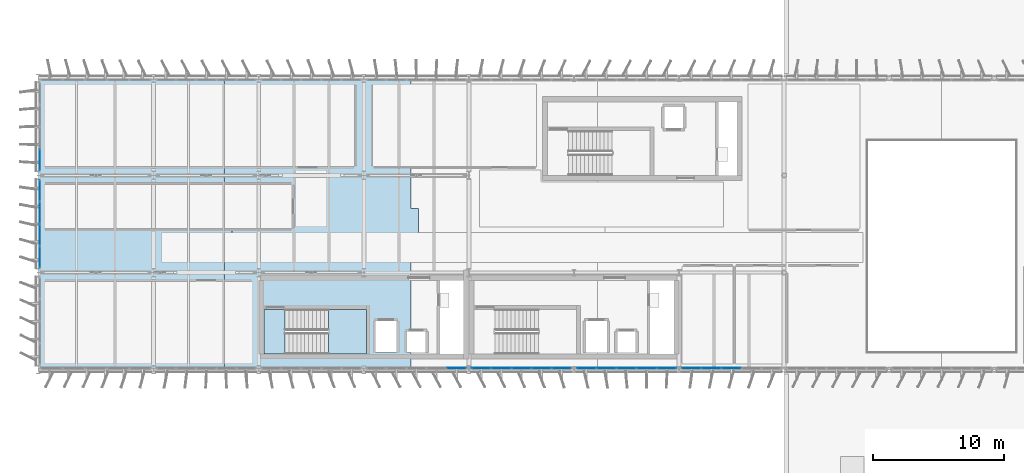
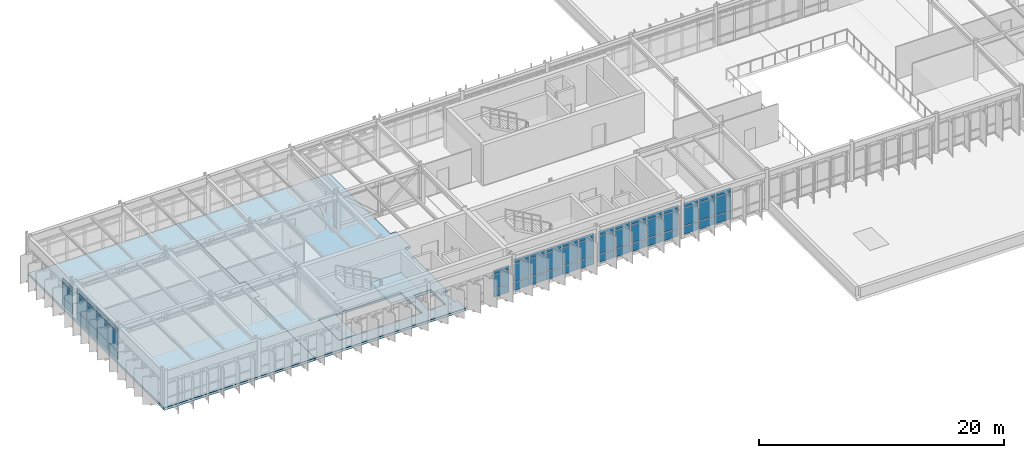
# One storey, part 28 of 56: 57 plates, 4 slabs, 7 elements without a shape of their own.
"""IFC4 building model written with IfcOpenShell, lengths in metres."""

from ifc_helpers import new_model, si_unit, direction, frame, origin, origin_2d, place, context, subcontext, project, spatial, polyline, rectangle, outline, extrude, material, layer, layer_set, type_object, element, aggregate, save


model = new_model("IFC4")

# Units and contexts
model_context = context("Model", 3, precision=1e-05, world=origin(), true_north=direction((0.0, 1.0)))
body_context = subcontext(model_context, "Body", "Model", "MODEL_VIEW")
ifc_project = project(units=[si_unit("LENGTHUNIT", "METRE"), si_unit("AREAUNIT", "SQUARE_METRE"), si_unit("VOLUMEUNIT", "CUBIC_METRE"), si_unit("PLANEANGLEUNIT", "RADIAN"), si_unit("MASSUNIT", "GRAM", prefix="KILO")], contexts=[model_context])

# Site, building, storey
site_placement = place(None, origin())
site = spatial("IfcSite", under=ifc_project, at=site_placement, CompositionType="ELEMENT")
building_placement = place(site_placement, origin())
building = spatial("IfcBuilding", under=site, at=building_placement, Name="Valkorina Park Police Headquarters", CompositionType="ELEMENT")
storey_placement = place(building_placement, frame((0.0, 0.0, 14.10009765625)))
storey = spatial("IfcBuildingStorey", under=building, at=storey_placement, Name="L04", CompositionType="ELEMENT", Elevation=14.10009765625)

# Curtain wall, plates
ifc_material_1 = material(Name="Thermally broken aluminium AW-6060", Category="aluminium")
ifc_layer_1 = layer(ifc_material_1, 0.18994140625)
ifc_layer_set_1 = layer_set([ifc_layer_1], Name="Thermally broken aluminium AW-6060")
curtain_wall_type_1 = type_object("IfcCurtainWallType", Name="CW-V5-7650x3260", PredefinedType="NOTDEFINED", material=ifc_layer_set_1)
curtain_wall_1_placement = place(storey_placement, origin())
curtain_wall_1 = element("IfcCurtainWall", 1, at=curtain_wall_1_placement, inside=storey, type_object=curtain_wall_type_1, Name="L04 Unitised Curtain Wall 051", PredefinedType="NOTDEFINED")
ifc_layer_2 = layer(ifc_material_1, 0.050048828125)
ifc_layer_set_2 = layer_set([ifc_layer_2], Name="Thermally broken aluminium AW-6060")
plate_type_1 = type_object("IfcPlateType", Name="PL-CWP-SPANDREL-50", PredefinedType="CURTAIN_PANEL", material=ifc_layer_set_2)
plate_1_placement = place(storey_placement, frame((52.7861328125, 37.1201171875, 0.06982421875), z_axis=(0.0, 0.0, 1.0), x_axis=(-1.0, 0.0, 0.0)))
plate_1 = element("IfcPlate", 2, at=plate_1_placement, type_object=plate_type_1, Name="CW-V5-765-326 panel 3.1", PredefinedType="CURTAIN_PANEL", context=body_context, shape_type="SweptSolid", body=[
    extrude(rectangle(XDim=1.46044921875, YDim=0.028076171875, at=origin_2d()), origin(), (0.0, 0.0, 1.0), 0.794921875),
])
plate_2_placement = place(storey_placement, frame((51.255615234375, 37.1201171875, 0.06982421875), z_axis=(0.0, 0.0, 1.0), x_axis=(-1.0, 0.0, 0.0)))
plate_2 = element("IfcPlate", 3, at=plate_2_placement, type_object=plate_type_1, Name="CW-V5-765-326 panel 4.1", PredefinedType="CURTAIN_PANEL", context=body_context, shape_type="SweptSolid", body=[
    extrude(rectangle(XDim=1.46044921875, YDim=0.028076171875, at=origin_2d()), origin(), (0.0, 0.0, 1.0), 0.794921875),
])
plate_3_placement = place(storey_placement, frame((49.74267578125, 37.1201171875, 0.06982421875), z_axis=(0.0, 0.0, 1.0), x_axis=(-1.0, 0.0, 0.0)))
plate_3 = element("IfcPlate", 4, at=plate_3_placement, type_object=plate_type_1, Name="CW-V5-765-326 panel 5.1", PredefinedType="CURTAIN_PANEL", context=body_context, shape_type="SweptSolid", body=[
    extrude(rectangle(XDim=1.425537109375, YDim=0.028076171875, at=origin_2d()), origin(), (0.0, 0.0, 1.0), 0.794921875),
])

ifc_layer_3 = layer(ifc_material_1, 0.18994140625)
ifc_layer_set_3 = layer_set([ifc_layer_3], Name="Thermally broken aluminium AW-6060")
curtain_wall_type_2 = type_object("IfcCurtainWallType", Name="CW-V5-7680x3260", PredefinedType="NOTDEFINED", material=ifc_layer_set_3)
curtain_wall_2_placement = place(storey_placement, origin())
curtain_wall_2 = element("IfcCurtainWall", 5, at=curtain_wall_2_placement, inside=storey, type_object=curtain_wall_type_2, Name="L04 Unitised Curtain Wall 052", PredefinedType="NOTDEFINED")
plate_4_placement = place(storey_placement, frame((47.8544921875, 37.1201171875, 0.06982421875), z_axis=(0.0, 0.0, 1.0), x_axis=(-1.0, 0.0, 0.0)))
plate_4 = element("IfcPlate", 6, at=plate_4_placement, type_object=plate_type_1, Name="CW-V5-768-326 panel 1.1", PredefinedType="CURTAIN_PANEL", context=body_context, shape_type="SweptSolid", body=[
    extrude(rectangle(XDim=1.430908203125, YDim=0.028076171875, at=origin_2d()), origin(), (0.0, 0.0, 1.0), 0.794921875),
])
plate_5_placement = place(storey_placement, frame((46.3359375, 37.1201171875, 0.06982421875), z_axis=(0.0, 0.0, 1.0), x_axis=(-1.0, 0.0, 0.0)))
plate_5 = element("IfcPlate", 7, at=plate_5_placement, type_object=plate_type_1, Name="CW-V5-768-326 panel 2.1", PredefinedType="CURTAIN_PANEL", context=body_context, shape_type="SweptSolid", body=[
    extrude(rectangle(XDim=1.466064453125, YDim=0.028076171875, at=origin_2d()), origin(), (0.0, 0.0, 1.0), 0.794921875),
])
plate_6_placement = place(storey_placement, frame((44.800048828125, 37.1201171875, 0.06982421875), z_axis=(0.0, 0.0, 1.0), x_axis=(-1.0, 0.0, 0.0)))
plate_6 = element("IfcPlate", 8, at=plate_6_placement, type_object=plate_type_1, Name="CW-V5-768-326 panel 3.1", PredefinedType="CURTAIN_PANEL", context=body_context, shape_type="SweptSolid", body=[
    extrude(rectangle(XDim=1.466064453125, YDim=0.028076171875, at=origin_2d()), origin(), (0.0, 0.0, 1.0), 0.794921875),
])
plate_7_placement = place(storey_placement, frame((43.263916015625, 37.1201171875, 0.06982421875), z_axis=(0.0, 0.0, 1.0), x_axis=(-1.0, 0.0, 0.0)))
plate_7 = element("IfcPlate", 9, at=plate_7_placement, type_object=plate_type_1, Name="CW-V5-768-326 panel 4.1", PredefinedType="CURTAIN_PANEL", context=body_context, shape_type="SweptSolid", body=[
    extrude(rectangle(XDim=1.466064453125, YDim=0.028076171875, at=origin_2d()), origin(), (0.0, 0.0, 1.0), 0.794921875),
])
plate_8_placement = place(storey_placement, frame((41.74560546875, 37.1201171875, 0.06982421875), z_axis=(0.0, 0.0, 1.0), x_axis=(-1.0, 0.0, 0.0)))
plate_8 = element("IfcPlate", 10, at=plate_8_placement, type_object=plate_type_1, Name="CW-V5-768-326 panel 5.1", PredefinedType="CURTAIN_PANEL", context=body_context, shape_type="SweptSolid", body=[
    extrude(rectangle(XDim=1.430908203125, YDim=0.028076171875, at=origin_2d()), origin(), (0.0, 0.0, 1.0), 0.794921875),
])

curtain_wall_3_placement = place(storey_placement, origin())
curtain_wall_3 = element("IfcCurtainWall", 11, at=curtain_wall_3_placement, inside=storey, type_object=curtain_wall_type_2, Name="L04 Unitised Curtain Wall 053", PredefinedType="NOTDEFINED")
plate_9_placement = place(storey_placement, frame((39.8544921875, 37.1201171875, 0.06982421875), z_axis=(0.0, 0.0, 1.0), x_axis=(-1.0, 0.0, 0.0)))
plate_9 = element("IfcPlate", 12, at=plate_9_placement, type_object=plate_type_1, Name="CW-V5-768-326 panel 1.1", PredefinedType="CURTAIN_PANEL", context=body_context, shape_type="SweptSolid", body=[
    extrude(rectangle(XDim=1.430908203125, YDim=0.028076171875, at=origin_2d()), origin(), (0.0, 0.0, 1.0), 0.794921875),
])
plate_10_placement = place(storey_placement, frame((38.3359375, 37.1201171875, 0.06982421875), z_axis=(0.0, 0.0, 1.0), x_axis=(-1.0, 0.0, 0.0)))
plate_10 = element("IfcPlate", 13, at=plate_10_placement, type_object=plate_type_1, Name="CW-V5-768-326 panel 2.1", PredefinedType="CURTAIN_PANEL", context=body_context, shape_type="SweptSolid", body=[
    extrude(rectangle(XDim=1.466064453125, YDim=0.028076171875, at=origin_2d()), origin(), (0.0, 0.0, 1.0), 0.794921875),
])
plate_11_placement = place(storey_placement, frame((36.800048828125, 37.1201171875, 0.06982421875), z_axis=(0.0, 0.0, 1.0), x_axis=(-1.0, 0.0, 0.0)))
plate_11 = element("IfcPlate", 14, at=plate_11_placement, type_object=plate_type_1, Name="CW-V5-768-326 panel 3.1", PredefinedType="CURTAIN_PANEL", context=body_context, shape_type="SweptSolid", body=[
    extrude(rectangle(XDim=1.466064453125, YDim=0.028076171875, at=origin_2d()), origin(), (0.0, 0.0, 1.0), 0.794921875),
])
plate_12_placement = place(storey_placement, frame((35.263916015625, 37.1201171875, 0.06982421875), z_axis=(0.0, 0.0, 1.0), x_axis=(-1.0, 0.0, 0.0)))
plate_12 = element("IfcPlate", 15, at=plate_12_placement, type_object=plate_type_1, Name="CW-V5-768-326 panel 4.1", PredefinedType="CURTAIN_PANEL", context=body_context, shape_type="SweptSolid", body=[
    extrude(rectangle(XDim=1.466064453125, YDim=0.028076171875, at=origin_2d()), origin(), (0.0, 0.0, 1.0), 0.794921875),
])
plate_13_placement = place(storey_placement, frame((33.74560546875, 37.1201171875, 0.06982421875), z_axis=(0.0, 0.0, 1.0), x_axis=(-1.0, 0.0, 0.0)))
plate_13 = element("IfcPlate", 16, at=plate_13_placement, type_object=plate_type_1, Name="CW-V5-768-326 panel 5.1", PredefinedType="CURTAIN_PANEL", context=body_context, shape_type="SweptSolid", body=[
    extrude(rectangle(XDim=1.430908203125, YDim=0.028076171875, at=origin_2d()), origin(), (0.0, 0.0, 1.0), 0.794921875),
])

# Curtain wall, plate
ifc_layer_4 = layer(ifc_material_1, 0.18994140625)
ifc_layer_set_4 = layer_set([ifc_layer_4], Name="Thermally broken aluminium AW-6060")
curtain_wall_type_3 = type_object("IfcCurtainWallType", Name="CW-V5-7680x2840", PredefinedType="NOTDEFINED", material=ifc_layer_set_4)
curtain_wall_4_placement = place(storey_placement, origin())
curtain_wall_4 = element("IfcCurtainWall", 17, at=curtain_wall_4_placement, inside=storey, type_object=curtain_wall_type_3, Name="L04 Unitised Curtain Wall 054", PredefinedType="NOTDEFINED")
plate_14_placement = place(storey_placement, frame((31.8544921875, 37.1201171875, 0.06982421875), z_axis=(0.0, 0.0, 1.0), x_axis=(-1.0, 0.0, 0.0)))
plate_14 = element("IfcPlate", 18, at=plate_14_placement, type_object=plate_type_1, Name="CW-V5-768-284 panel 1.1", PredefinedType="CURTAIN_PANEL", context=body_context, shape_type="SweptSolid", body=[
    extrude(rectangle(XDim=1.430908203125, YDim=0.028076171875, at=origin_2d()), origin(), (0.0, 0.0, 1.0), 0.794921875),
])

# Curtain wall, plates
ifc_layer_5 = layer(ifc_material_1, 0.18994140625)
ifc_layer_set_5 = layer_set([ifc_layer_5], Name="Thermally broken aluminium AW-6060")
curtain_wall_type_4 = type_object("IfcCurtainWallType", Name="CW-V5-6780x3260", PredefinedType="NOTDEFINED", material=ifc_layer_set_5)
curtain_wall_5_placement = place(storey_placement, origin())
curtain_wall_5 = element("IfcCurtainWall", 19, at=curtain_wall_5_placement, inside=storey, type_object=curtain_wall_type_4, Name="L04 Unitised Curtain Wall 059", PredefinedType="NOTDEFINED")
plate_15_placement = place(storey_placement, frame((0.1201171875, 45.574951171875, 0.06982421875), z_axis=(0.0, 0.0, 1.0), x_axis=(0.0, 1.0, 0.0)))
plate_15 = element("IfcPlate", 20, at=plate_15_placement, type_object=plate_type_1, Name="CW-V5-678-326 panel 1.1", PredefinedType="CURTAIN_PANEL", context=body_context, shape_type="SweptSolid", body=[
    extrude(rectangle(XDim=1.590087890625, YDim=0.028076171875, at=origin_2d()), origin(), (0.0, 0.0, 1.0), 0.794921875),
])
plate_16_placement = place(storey_placement, frame((0.1201171875, 47.25244140625, 0.06982421875), z_axis=(0.0, 0.0, 1.0), x_axis=(0.0, 1.0, 0.0)))
plate_16 = element("IfcPlate", 21, at=plate_16_placement, type_object=plate_type_1, Name="CW-V5-678-326 panel 2.1", PredefinedType="CURTAIN_PANEL", context=body_context, shape_type="SweptSolid", body=[
    extrude(rectangle(XDim=1.625, YDim=0.028076171875, at=origin_2d()), origin(), (0.0, 0.0, 1.0), 0.794921875),
])
plate_17_placement = place(storey_placement, frame((0.1201171875, 48.947509765625, 0.06982421875), z_axis=(0.0, 0.0, 1.0), x_axis=(0.0, 1.0, 0.0)))
plate_17 = element("IfcPlate", 22, at=plate_17_placement, type_object=plate_type_1, Name="CW-V5-678-326 panel 3.1", PredefinedType="CURTAIN_PANEL", context=body_context, shape_type="SweptSolid", body=[
    extrude(rectangle(XDim=1.625, YDim=0.028076171875, at=origin_2d()), origin(), (0.0, 0.0, 1.0), 0.794921875),
])
plate_18_placement = place(storey_placement, frame((0.1201171875, 50.625, 0.06982421875), z_axis=(0.0, 0.0, 1.0), x_axis=(0.0, 1.0, 0.0)))
plate_18 = element("IfcPlate", 23, at=plate_18_placement, type_object=plate_type_1, Name="CW-V5-678-326 panel 4.1", PredefinedType="CURTAIN_PANEL", context=body_context, shape_type="SweptSolid", body=[
    extrude(rectangle(XDim=1.590087890625, YDim=0.028076171875, at=origin_2d()), origin(), (0.0, 0.0, 1.0), 0.794921875),
])

# Curtain wall, plate
ifc_layer_6 = layer(ifc_material_1, 0.18994140625)
ifc_layer_set_6 = layer_set([ifc_layer_6], Name="Thermally broken aluminium AW-6060")
curtain_wall_type_5 = type_object("IfcCurtainWallType", Name="CW-V5-6780x2840", PredefinedType="NOTDEFINED", material=ifc_layer_set_6)
curtain_wall_6_placement = place(storey_placement, origin())
curtain_wall_6 = element("IfcCurtainWall", 24, at=curtain_wall_6_placement, inside=storey, type_object=curtain_wall_type_5, Name="L04 Unitised Curtain Wall 060", PredefinedType="NOTDEFINED")
plate_19_placement = place(storey_placement, frame((0.1201171875, 52.97509765625, 0.06982421875), z_axis=(0.0, 0.0, 1.0), x_axis=(0.0, 1.0, 0.0)))
plate_19 = element("IfcPlate", 25, at=plate_19_placement, type_object=plate_type_1, Name="CW-V5-678-284 panel 1.1", PredefinedType="CURTAIN_PANEL", context=body_context, shape_type="SweptSolid", body=[
    extrude(rectangle(XDim=1.590087890625, YDim=0.028076171875, at=origin_2d()), origin(), (0.0, 0.0, 1.0), 0.794921875),
])

# Plate
ifc_material_2 = material(Name="Triple low-E insulated glazing", Category="glass")
ifc_layer_7 = layer(ifc_material_2, 0.028076171875)
ifc_layer_set_7 = layer_set([ifc_layer_7], Name="Triple low-E insulated glazing")
plate_type_2 = type_object("IfcPlateType", Name="PL-CWP-VISION-28", PredefinedType="CURTAIN_PANEL", material=ifc_layer_set_7)
plate_20_placement = place(storey_placement, frame((52.7861328125, 37.1201171875, 0.93505859375), z_axis=(0.0, 0.0, 1.0), x_axis=(-1.0, 0.0, 0.0)))
plate_20 = element("IfcPlate", 26, at=plate_20_placement, type_object=plate_type_2, Name="CW-V5-765-326 panel 3.2", PredefinedType="CURTAIN_PANEL", context=body_context, shape_type="SweptSolid", body=[
    extrude(rectangle(XDim=1.46044921875, YDim=0.028076171875, at=origin_2d()), origin(), (0.0, 0.0, 1.0), 1.764892578125),
])

plate_21_placement = place(storey_placement, frame((52.7861328125, 37.1201171875, 2.769775390625), z_axis=(0.0, 0.0, 1.0), x_axis=(-1.0, 0.0, 0.0)))
plate_21 = element("IfcPlate", 27, at=plate_21_placement, type_object=plate_type_2, Name="CW-V5-765-326 panel 3.3", PredefinedType="CURTAIN_PANEL", context=body_context, shape_type="SweptSolid", body=[
    extrude(rectangle(XDim=1.46044921875, YDim=0.028076171875, at=origin_2d()), origin(), (0.0, 0.0, 1.0), 0.4150390625),
])

plate_22_placement = place(storey_placement, frame((51.255615234375, 37.1201171875, 0.93505859375), z_axis=(0.0, 0.0, 1.0), x_axis=(-1.0, 0.0, 0.0)))
plate_22 = element("IfcPlate", 28, at=plate_22_placement, type_object=plate_type_2, Name="CW-V5-765-326 panel 4.2", PredefinedType="CURTAIN_PANEL", context=body_context, shape_type="SweptSolid", body=[
    extrude(rectangle(XDim=1.46044921875, YDim=0.028076171875, at=origin_2d()), origin(), (0.0, 0.0, 1.0), 1.764892578125),
])

plate_23_placement = place(storey_placement, frame((51.255615234375, 37.1201171875, 2.769775390625), z_axis=(0.0, 0.0, 1.0), x_axis=(-1.0, 0.0, 0.0)))
plate_23 = element("IfcPlate", 29, at=plate_23_placement, type_object=plate_type_2, Name="CW-V5-765-326 panel 4.3", PredefinedType="CURTAIN_PANEL", context=body_context, shape_type="SweptSolid", body=[
    extrude(rectangle(XDim=1.46044921875, YDim=0.028076171875, at=origin_2d()), origin(), (0.0, 0.0, 1.0), 0.4150390625),
])

plate_24_placement = place(storey_placement, frame((49.74267578125, 37.1201171875, 0.93505859375), z_axis=(0.0, 0.0, 1.0), x_axis=(-1.0, 0.0, 0.0)))
plate_24 = element("IfcPlate", 30, at=plate_24_placement, type_object=plate_type_2, Name="CW-V5-765-326 panel 5.2", PredefinedType="CURTAIN_PANEL", context=body_context, shape_type="SweptSolid", body=[
    extrude(rectangle(XDim=1.425537109375, YDim=0.028076171875, at=origin_2d()), origin(), (0.0, 0.0, 1.0), 1.764892578125),
])

plate_25_placement = place(storey_placement, frame((49.74267578125, 37.1201171875, 2.769775390625), z_axis=(0.0, 0.0, 1.0), x_axis=(-1.0, 0.0, 0.0)))
plate_25 = element("IfcPlate", 31, at=plate_25_placement, type_object=plate_type_2, Name="CW-V5-765-326 panel 5.3", PredefinedType="CURTAIN_PANEL", context=body_context, shape_type="SweptSolid", body=[
    extrude(rectangle(XDim=1.425537109375, YDim=0.028076171875, at=origin_2d()), origin(), (0.0, 0.0, 1.0), 0.4150390625),
])

aggregate(curtain_wall_1, [plate_1, plate_20, plate_21, plate_2, plate_22, plate_23, plate_3, plate_24, plate_25])

plate_26_placement = place(storey_placement, frame((47.8544921875, 37.1201171875, 0.93505859375), z_axis=(0.0, 0.0, 1.0), x_axis=(-1.0, 0.0, 0.0)))
plate_26 = element("IfcPlate", 32, at=plate_26_placement, type_object=plate_type_2, Name="CW-V5-768-326 panel 1.2", PredefinedType="CURTAIN_PANEL", context=body_context, shape_type="SweptSolid", body=[
    extrude(rectangle(XDim=1.430908203125, YDim=0.028076171875, at=origin_2d()), origin(), (0.0, 0.0, 1.0), 1.764892578125),
])

plate_27_placement = place(storey_placement, frame((47.8544921875, 37.1201171875, 2.769775390625), z_axis=(0.0, 0.0, 1.0), x_axis=(-1.0, 0.0, 0.0)))
plate_27 = element("IfcPlate", 33, at=plate_27_placement, type_object=plate_type_2, Name="CW-V5-768-326 panel 1.3", PredefinedType="CURTAIN_PANEL", context=body_context, shape_type="SweptSolid", body=[
    extrude(rectangle(XDim=1.430908203125, YDim=0.028076171875, at=origin_2d()), origin(), (0.0, 0.0, 1.0), 0.4150390625),
])

plate_28_placement = place(storey_placement, frame((46.3359375, 37.1201171875, 0.93505859375), z_axis=(0.0, 0.0, 1.0), x_axis=(-1.0, 0.0, 0.0)))
plate_28 = element("IfcPlate", 34, at=plate_28_placement, type_object=plate_type_2, Name="CW-V5-768-326 panel 2.2", PredefinedType="CURTAIN_PANEL", context=body_context, shape_type="SweptSolid", body=[
    extrude(rectangle(XDim=1.466064453125, YDim=0.028076171875, at=origin_2d()), origin(), (0.0, 0.0, 1.0), 1.764892578125),
])

plate_29_placement = place(storey_placement, frame((46.3359375, 37.1201171875, 2.769775390625), z_axis=(0.0, 0.0, 1.0), x_axis=(-1.0, 0.0, 0.0)))
plate_29 = element("IfcPlate", 35, at=plate_29_placement, type_object=plate_type_2, Name="CW-V5-768-326 panel 2.3", PredefinedType="CURTAIN_PANEL", context=body_context, shape_type="SweptSolid", body=[
    extrude(rectangle(XDim=1.466064453125, YDim=0.028076171875, at=origin_2d()), origin(), (0.0, 0.0, 1.0), 0.4150390625),
])

plate_30_placement = place(storey_placement, frame((44.800048828125, 37.1201171875, 0.93505859375), z_axis=(0.0, 0.0, 1.0), x_axis=(-1.0, 0.0, 0.0)))
plate_30 = element("IfcPlate", 36, at=plate_30_placement, type_object=plate_type_2, Name="CW-V5-768-326 panel 3.2", PredefinedType="CURTAIN_PANEL", context=body_context, shape_type="SweptSolid", body=[
    extrude(rectangle(XDim=1.466064453125, YDim=0.028076171875, at=origin_2d()), origin(), (0.0, 0.0, 1.0), 1.764892578125),
])

plate_31_placement = place(storey_placement, frame((44.800048828125, 37.1201171875, 2.769775390625), z_axis=(0.0, 0.0, 1.0), x_axis=(-1.0, 0.0, 0.0)))
plate_31 = element("IfcPlate", 37, at=plate_31_placement, type_object=plate_type_2, Name="CW-V5-768-326 panel 3.3", PredefinedType="CURTAIN_PANEL", context=body_context, shape_type="SweptSolid", body=[
    extrude(rectangle(XDim=1.466064453125, YDim=0.028076171875, at=origin_2d()), origin(), (0.0, 0.0, 1.0), 0.4150390625),
])

plate_32_placement = place(storey_placement, frame((43.263916015625, 37.1201171875, 0.93505859375), z_axis=(0.0, 0.0, 1.0), x_axis=(-1.0, 0.0, 0.0)))
plate_32 = element("IfcPlate", 38, at=plate_32_placement, type_object=plate_type_2, Name="CW-V5-768-326 panel 4.2", PredefinedType="CURTAIN_PANEL", context=body_context, shape_type="SweptSolid", body=[
    extrude(rectangle(XDim=1.466064453125, YDim=0.028076171875, at=origin_2d()), origin(), (0.0, 0.0, 1.0), 1.764892578125),
])

plate_33_placement = place(storey_placement, frame((43.263916015625, 37.1201171875, 2.769775390625), z_axis=(0.0, 0.0, 1.0), x_axis=(-1.0, 0.0, 0.0)))
plate_33 = element("IfcPlate", 39, at=plate_33_placement, type_object=plate_type_2, Name="CW-V5-768-326 panel 4.3", PredefinedType="CURTAIN_PANEL", context=body_context, shape_type="SweptSolid", body=[
    extrude(rectangle(XDim=1.466064453125, YDim=0.028076171875, at=origin_2d()), origin(), (0.0, 0.0, 1.0), 0.4150390625),
])

plate_34_placement = place(storey_placement, frame((41.74560546875, 37.1201171875, 0.93505859375), z_axis=(0.0, 0.0, 1.0), x_axis=(-1.0, 0.0, 0.0)))
plate_34 = element("IfcPlate", 40, at=plate_34_placement, type_object=plate_type_2, Name="CW-V5-768-326 panel 5.2", PredefinedType="CURTAIN_PANEL", context=body_context, shape_type="SweptSolid", body=[
    extrude(rectangle(XDim=1.430908203125, YDim=0.028076171875, at=origin_2d()), origin(), (0.0, 0.0, 1.0), 1.764892578125),
])

plate_35_placement = place(storey_placement, frame((41.74560546875, 37.1201171875, 2.769775390625), z_axis=(0.0, 0.0, 1.0), x_axis=(-1.0, 0.0, 0.0)))
plate_35 = element("IfcPlate", 41, at=plate_35_placement, type_object=plate_type_2, Name="CW-V5-768-326 panel 5.3", PredefinedType="CURTAIN_PANEL", context=body_context, shape_type="SweptSolid", body=[
    extrude(rectangle(XDim=1.430908203125, YDim=0.028076171875, at=origin_2d()), origin(), (0.0, 0.0, 1.0), 0.4150390625),
])

aggregate(curtain_wall_2, [plate_4, plate_26, plate_27, plate_5, plate_28, plate_29, plate_6, plate_30, plate_31, plate_7, plate_32, plate_33, plate_8, plate_34, plate_35])

plate_36_placement = place(storey_placement, frame((39.8544921875, 37.1201171875, 0.93505859375), z_axis=(0.0, 0.0, 1.0), x_axis=(-1.0, 0.0, 0.0)))
plate_36 = element("IfcPlate", 42, at=plate_36_placement, type_object=plate_type_2, Name="CW-V5-768-326 panel 1.2", PredefinedType="CURTAIN_PANEL", context=body_context, shape_type="SweptSolid", body=[
    extrude(rectangle(XDim=1.430908203125, YDim=0.028076171875, at=origin_2d()), origin(), (0.0, 0.0, 1.0), 1.764892578125),
])

plate_37_placement = place(storey_placement, frame((39.8544921875, 37.1201171875, 2.769775390625), z_axis=(0.0, 0.0, 1.0), x_axis=(-1.0, 0.0, 0.0)))
plate_37 = element("IfcPlate", 43, at=plate_37_placement, type_object=plate_type_2, Name="CW-V5-768-326 panel 1.3", PredefinedType="CURTAIN_PANEL", context=body_context, shape_type="SweptSolid", body=[
    extrude(rectangle(XDim=1.430908203125, YDim=0.028076171875, at=origin_2d()), origin(), (0.0, 0.0, 1.0), 0.4150390625),
])

plate_38_placement = place(storey_placement, frame((38.3359375, 37.1201171875, 0.93505859375), z_axis=(0.0, 0.0, 1.0), x_axis=(-1.0, 0.0, 0.0)))
plate_38 = element("IfcPlate", 44, at=plate_38_placement, type_object=plate_type_2, Name="CW-V5-768-326 panel 2.2", PredefinedType="CURTAIN_PANEL", context=body_context, shape_type="SweptSolid", body=[
    extrude(rectangle(XDim=1.466064453125, YDim=0.028076171875, at=origin_2d()), origin(), (0.0, 0.0, 1.0), 1.764892578125),
])

plate_39_placement = place(storey_placement, frame((38.3359375, 37.1201171875, 2.769775390625), z_axis=(0.0, 0.0, 1.0), x_axis=(-1.0, 0.0, 0.0)))
plate_39 = element("IfcPlate", 45, at=plate_39_placement, type_object=plate_type_2, Name="CW-V5-768-326 panel 2.3", PredefinedType="CURTAIN_PANEL", context=body_context, shape_type="SweptSolid", body=[
    extrude(rectangle(XDim=1.466064453125, YDim=0.028076171875, at=origin_2d()), origin(), (0.0, 0.0, 1.0), 0.4150390625),
])

plate_40_placement = place(storey_placement, frame((36.800048828125, 37.1201171875, 0.93505859375), z_axis=(0.0, 0.0, 1.0), x_axis=(-1.0, 0.0, 0.0)))
plate_40 = element("IfcPlate", 46, at=plate_40_placement, type_object=plate_type_2, Name="CW-V5-768-326 panel 3.2", PredefinedType="CURTAIN_PANEL", context=body_context, shape_type="SweptSolid", body=[
    extrude(rectangle(XDim=1.466064453125, YDim=0.028076171875, at=origin_2d()), origin(), (0.0, 0.0, 1.0), 1.764892578125),
])

plate_41_placement = place(storey_placement, frame((36.800048828125, 37.1201171875, 2.769775390625), z_axis=(0.0, 0.0, 1.0), x_axis=(-1.0, 0.0, 0.0)))
plate_41 = element("IfcPlate", 47, at=plate_41_placement, type_object=plate_type_2, Name="CW-V5-768-326 panel 3.3", PredefinedType="CURTAIN_PANEL", context=body_context, shape_type="SweptSolid", body=[
    extrude(rectangle(XDim=1.466064453125, YDim=0.028076171875, at=origin_2d()), origin(), (0.0, 0.0, 1.0), 0.4150390625),
])

plate_42_placement = place(storey_placement, frame((35.263916015625, 37.1201171875, 0.93505859375), z_axis=(0.0, 0.0, 1.0), x_axis=(-1.0, 0.0, 0.0)))
plate_42 = element("IfcPlate", 48, at=plate_42_placement, type_object=plate_type_2, Name="CW-V5-768-326 panel 4.2", PredefinedType="CURTAIN_PANEL", context=body_context, shape_type="SweptSolid", body=[
    extrude(rectangle(XDim=1.466064453125, YDim=0.028076171875, at=origin_2d()), origin(), (0.0, 0.0, 1.0), 1.764892578125),
])

plate_43_placement = place(storey_placement, frame((35.263916015625, 37.1201171875, 2.769775390625), z_axis=(0.0, 0.0, 1.0), x_axis=(-1.0, 0.0, 0.0)))
plate_43 = element("IfcPlate", 49, at=plate_43_placement, type_object=plate_type_2, Name="CW-V5-768-326 panel 4.3", PredefinedType="CURTAIN_PANEL", context=body_context, shape_type="SweptSolid", body=[
    extrude(rectangle(XDim=1.466064453125, YDim=0.028076171875, at=origin_2d()), origin(), (0.0, 0.0, 1.0), 0.4150390625),
])

plate_44_placement = place(storey_placement, frame((33.74560546875, 37.1201171875, 0.93505859375), z_axis=(0.0, 0.0, 1.0), x_axis=(-1.0, 0.0, 0.0)))
plate_44 = element("IfcPlate", 50, at=plate_44_placement, type_object=plate_type_2, Name="CW-V5-768-326 panel 5.2", PredefinedType="CURTAIN_PANEL", context=body_context, shape_type="SweptSolid", body=[
    extrude(rectangle(XDim=1.430908203125, YDim=0.028076171875, at=origin_2d()), origin(), (0.0, 0.0, 1.0), 1.764892578125),
])

plate_45_placement = place(storey_placement, frame((33.74560546875, 37.1201171875, 2.769775390625), z_axis=(0.0, 0.0, 1.0), x_axis=(-1.0, 0.0, 0.0)))
plate_45 = element("IfcPlate", 51, at=plate_45_placement, type_object=plate_type_2, Name="CW-V5-768-326 panel 5.3", PredefinedType="CURTAIN_PANEL", context=body_context, shape_type="SweptSolid", body=[
    extrude(rectangle(XDim=1.430908203125, YDim=0.028076171875, at=origin_2d()), origin(), (0.0, 0.0, 1.0), 0.4150390625),
])

aggregate(curtain_wall_3, [plate_9, plate_36, plate_37, plate_10, plate_38, plate_39, plate_11, plate_40, plate_41, plate_12, plate_42, plate_43, plate_13, plate_44, plate_45])

plate_46_placement = place(storey_placement, frame((31.8544921875, 37.1201171875, 0.934814453125), z_axis=(0.0, 0.0, 1.0), x_axis=(-1.0, 0.0, 0.0)))
plate_46 = element("IfcPlate", 52, at=plate_46_placement, type_object=plate_type_2, Name="CW-V5-768-284 panel 1.2", PredefinedType="CURTAIN_PANEL", context=body_context, shape_type="SweptSolid", body=[
    extrude(rectangle(XDim=1.430908203125, YDim=0.028076171875, at=origin_2d()), origin(), (0.0, 0.0, 1.0), 1.35498046875),
])

plate_47_placement = place(storey_placement, frame((31.8544921875, 37.1201171875, 2.35986328125), z_axis=(0.0, 0.0, 1.0), x_axis=(-1.0, 0.0, 0.0)))
plate_47 = element("IfcPlate", 53, at=plate_47_placement, type_object=plate_type_2, Name="CW-V5-768-284 panel 1.3", PredefinedType="CURTAIN_PANEL", context=body_context, shape_type="SweptSolid", body=[
    extrude(rectangle(XDim=1.430908203125, YDim=0.028076171875, at=origin_2d()), origin(), (0.0, 0.0, 1.0), 0.4150390625),
])

aggregate(curtain_wall_4, [plate_14, plate_46, plate_47])

plate_48_placement = place(storey_placement, frame((0.1201171875, 45.574951171875, 0.93505859375), z_axis=(0.0, 0.0, 1.0), x_axis=(0.0, 1.0, 0.0)))
plate_48 = element("IfcPlate", 54, at=plate_48_placement, type_object=plate_type_2, Name="CW-V5-678-326 panel 1.2", PredefinedType="CURTAIN_PANEL", context=body_context, shape_type="SweptSolid", body=[
    extrude(rectangle(XDim=1.590087890625, YDim=0.028076171875, at=origin_2d()), origin(), (0.0, 0.0, 1.0), 1.764892578125),
])

plate_49_placement = place(storey_placement, frame((0.1201171875, 45.574951171875, 2.769775390625), z_axis=(0.0, 0.0, 1.0), x_axis=(0.0, 1.0, 0.0)))
plate_49 = element("IfcPlate", 55, at=plate_49_placement, type_object=plate_type_2, Name="CW-V5-678-326 panel 1.3", PredefinedType="CURTAIN_PANEL", context=body_context, shape_type="SweptSolid", body=[
    extrude(rectangle(XDim=1.590087890625, YDim=0.028076171875, at=origin_2d()), origin(), (0.0, 0.0, 1.0), 0.4150390625),
])

plate_50_placement = place(storey_placement, frame((0.1201171875, 47.25244140625, 0.93505859375), z_axis=(0.0, 0.0, 1.0), x_axis=(0.0, 1.0, 0.0)))
plate_50 = element("IfcPlate", 56, at=plate_50_placement, type_object=plate_type_2, Name="CW-V5-678-326 panel 2.2", PredefinedType="CURTAIN_PANEL", context=body_context, shape_type="SweptSolid", body=[
    extrude(rectangle(XDim=1.625, YDim=0.028076171875, at=origin_2d()), origin(), (0.0, 0.0, 1.0), 1.764892578125),
])

plate_51_placement = place(storey_placement, frame((0.1201171875, 47.25244140625, 2.769775390625), z_axis=(0.0, 0.0, 1.0), x_axis=(0.0, 1.0, 0.0)))
plate_51 = element("IfcPlate", 57, at=plate_51_placement, type_object=plate_type_2, Name="CW-V5-678-326 panel 2.3", PredefinedType="CURTAIN_PANEL", context=body_context, shape_type="SweptSolid", body=[
    extrude(rectangle(XDim=1.625, YDim=0.028076171875, at=origin_2d()), origin(), (0.0, 0.0, 1.0), 0.4150390625),
])

plate_52_placement = place(storey_placement, frame((0.1201171875, 48.947509765625, 0.93505859375), z_axis=(0.0, 0.0, 1.0), x_axis=(0.0, 1.0, 0.0)))
plate_52 = element("IfcPlate", 58, at=plate_52_placement, type_object=plate_type_2, Name="CW-V5-678-326 panel 3.2", PredefinedType="CURTAIN_PANEL", context=body_context, shape_type="SweptSolid", body=[
    extrude(rectangle(XDim=1.625, YDim=0.028076171875, at=origin_2d()), origin(), (0.0, 0.0, 1.0), 1.764892578125),
])

plate_53_placement = place(storey_placement, frame((0.1201171875, 48.947509765625, 2.769775390625), z_axis=(0.0, 0.0, 1.0), x_axis=(0.0, 1.0, 0.0)))
plate_53 = element("IfcPlate", 59, at=plate_53_placement, type_object=plate_type_2, Name="CW-V5-678-326 panel 3.3", PredefinedType="CURTAIN_PANEL", context=body_context, shape_type="SweptSolid", body=[
    extrude(rectangle(XDim=1.625, YDim=0.028076171875, at=origin_2d()), origin(), (0.0, 0.0, 1.0), 0.4150390625),
])

plate_54_placement = place(storey_placement, frame((0.1201171875, 50.625, 0.93505859375), z_axis=(0.0, 0.0, 1.0), x_axis=(0.0, 1.0, 0.0)))
plate_54 = element("IfcPlate", 60, at=plate_54_placement, type_object=plate_type_2, Name="CW-V5-678-326 panel 4.2", PredefinedType="CURTAIN_PANEL", context=body_context, shape_type="SweptSolid", body=[
    extrude(rectangle(XDim=1.590087890625, YDim=0.028076171875, at=origin_2d()), origin(), (0.0, 0.0, 1.0), 1.764892578125),
])

plate_55_placement = place(storey_placement, frame((0.1201171875, 50.625, 2.769775390625), z_axis=(0.0, 0.0, 1.0), x_axis=(0.0, 1.0, 0.0)))
plate_55 = element("IfcPlate", 61, at=plate_55_placement, type_object=plate_type_2, Name="CW-V5-678-326 panel 4.3", PredefinedType="CURTAIN_PANEL", context=body_context, shape_type="SweptSolid", body=[
    extrude(rectangle(XDim=1.590087890625, YDim=0.028076171875, at=origin_2d()), origin(), (0.0, 0.0, 1.0), 0.4150390625),
])

aggregate(curtain_wall_5, [plate_15, plate_48, plate_49, plate_16, plate_50, plate_51, plate_17, plate_52, plate_53, plate_18, plate_54, plate_55])

plate_56_placement = place(storey_placement, frame((0.1201171875, 52.97509765625, 0.934814453125), z_axis=(0.0, 0.0, 1.0), x_axis=(0.0, 1.0, 0.0)))
plate_56 = element("IfcPlate", 62, at=plate_56_placement, type_object=plate_type_2, Name="CW-V5-678-284 panel 1.2", PredefinedType="CURTAIN_PANEL", context=body_context, shape_type="SweptSolid", body=[
    extrude(rectangle(XDim=1.590087890625, YDim=0.028076171875, at=origin_2d()), origin(), (0.0, 0.0, 1.0), 1.35498046875),
])

plate_57_placement = place(storey_placement, frame((0.1201171875, 52.97509765625, 2.35986328125), z_axis=(0.0, 0.0, 1.0), x_axis=(0.0, 1.0, 0.0)))
plate_57 = element("IfcPlate", 63, at=plate_57_placement, type_object=plate_type_2, Name="CW-V5-678-284 panel 1.3", PredefinedType="CURTAIN_PANEL", context=body_context, shape_type="SweptSolid", body=[
    extrude(rectangle(XDim=1.590087890625, YDim=0.028076171875, at=origin_2d()), origin(), (0.0, 0.0, 1.0), 0.4150390625),
])

aggregate(curtain_wall_6, [plate_19, plate_56, plate_57])

# Slabs
ifc_material_3 = material(Name="Concrete C35/45", Category="concrete")
ifc_layer_8 = layer(ifc_material_3, 0.2451171875)
ifc_layer_set_8 = layer_set([ifc_layer_8], Name="Concrete C35/45")
slab_type_1 = type_object("IfcSlabType", Name="SL-COMP-LAB-170", PredefinedType="FLOOR", material=ifc_layer_set_8)
slab_1_placement = place(storey_placement, frame((0.0, 0.0, -0.2451171875)))
element("IfcSlab", 64, at=slab_1_placement, inside=storey, type_object=slab_type_1, Name="L04 Structural Floor Slab 73", PredefinedType="FLOOR", context=body_context, shape_type="SweptSolid", body=[
    extrude(outline(polyline([(14.75, 49.2958984375), (14.199951171875, 49.2958984375), (14.199951171875, 59.19189453125), (0.0, 59.19189453125), (0.0, 37.0), (14.199951171875, 37.0), (14.199951171875, 46.89599609375), (14.75, 46.89599609375), (14.75, 49.2958984375)])), origin(), (0.0, 0.0, 1.0), 0.2451171875),
])
slab_2_placement = place(storey_placement, frame((0.0, 0.0, -0.2451171875)))
element("IfcSlab", 65, at=slab_2_placement, inside=storey, type_object=slab_type_1, Name="L04 Structural Floor Slab 74", PredefinedType="FLOOR", context=body_context, shape_type="SweptSolid", body=[
    extrude(outline(polyline([(28.949951171875, 49.2958984375), (28.39990234375, 49.2958984375), (28.39990234375, 59.19189453125), (14.199951171875, 59.19189453125), (14.199951171875, 49.2958984375), (14.75, 49.2958984375), (14.75, 46.89599609375), (14.199951171875, 46.89599609375), (14.199951171875, 37.0), (28.39990234375, 37.0), (28.39990234375, 38.300048828125), (28.10009765625, 38.300048828125), (28.10009765625, 39.89990234375), (28.39990234375, 39.89990234375), (28.39990234375, 46.89599609375), (28.949951171875, 46.89599609375), (28.949951171875, 49.2958984375)]), holes=[polyline([(27.300048828125, 38.300048828125), (25.699951171875, 38.300048828125), (25.699951171875, 40.699951171875), (27.300048828125, 40.699951171875), (27.300048828125, 38.300048828125)]), polyline([(17.199951171875, 38.199951171875), (17.199951171875, 41.60009765625), (25.0, 41.60009765625), (25.0, 38.199951171875), (17.199951171875, 38.199951171875)])]), origin(), (0.0, 0.0, 1.0), 0.2451171875),
])

# Stair, slab
stair_type = type_object("IfcStairType", Name="ST-DOGLEG-160-40", PredefinedType="HALF_TURN_STAIR", material=ifc_material_3)
stair_placement = place(storey_placement, origin())
stair = element("IfcStair", 66, at=stair_placement, inside=storey, type_object=stair_type, Name="L04 Core C1 Protected Stair (ST-05)", PredefinedType="HALF_TURN_STAIR")
ifc_layer_9 = layer(ifc_material_3, 0.22998046875)
ifc_layer_set_9 = layer_set([ifc_layer_9], Name="Concrete C35/45")
slab_type_2 = type_object("IfcSlabType", Name="SL-LANDING-230", PredefinedType="LANDING", material=ifc_layer_set_9)
slab_3_placement = place(storey_placement, frame((0.0, 0.0, 1.77001953125)))
slab_3 = element("IfcSlab", 67, at=slab_3_placement, type_object=slab_type_2, Name="ST-05 landing 1", PredefinedType="LANDING", context=body_context, shape_type="SweptSolid", body=[
    extrude(outline(polyline([(22.10009765625, 38.199951171875), (25.0, 38.199951171875), (25.0, 41.60009765625), (22.10009765625, 41.60009765625), (22.10009765625, 38.199951171875)])), origin(), (0.0, 0.0, 1.0), 0.22998046875),
])
aggregate(stair, [slab_3])

# Slab
ifc_material_4 = material(Name="Concrete C40/50", Category="concrete")
ifc_layer_10 = layer(ifc_material_4, 0.300048828125)
ifc_layer_set_10 = layer_set([ifc_layer_10], Name="Concrete C40/50")
slab_type_3 = type_object("IfcSlabType", Name="SL-VAULT-300", PredefinedType="FLOOR", material=ifc_layer_set_10)
slab_4_placement = place(storey_placement, frame((0.0, 0.0, -0.300048828125)))
element("IfcSlab", 68, at=slab_4_placement, inside=storey, type_object=slab_type_3, Name="L04 Core C1 Structural Floor Landing Slab", PredefinedType="FLOOR", context=body_context, shape_type="SweptSolid", body=[
    extrude(outline(polyline([(17.199951171875, 38.199951171875), (18.800048828125, 38.199951171875), (18.800048828125, 41.60009765625), (17.199951171875, 41.60009765625), (17.199951171875, 38.199951171875)])), origin(), (0.0, 0.0, 1.0), 0.300048828125),
])

save(model, "model.ifc")
